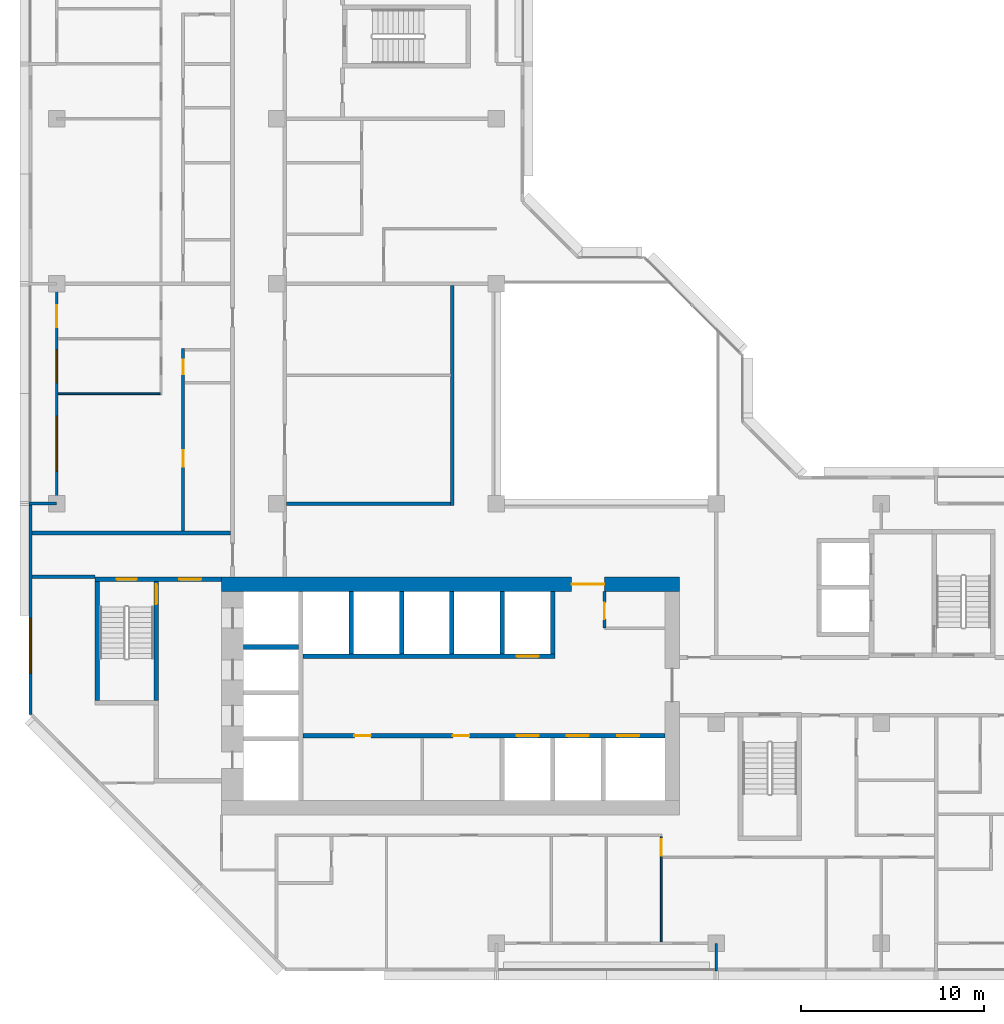
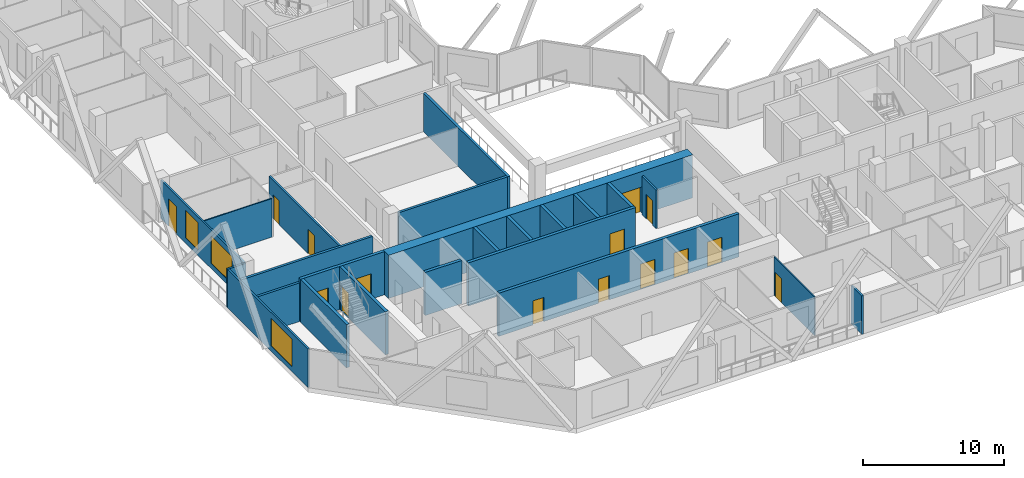
# One storey, part 5 of 15: 24 walls, 15 doors, 3 windows, 18 openings.
"""IFC4 building model written with IfcOpenShell, lengths in metres."""

from ifc_helpers import new_model, si_unit, direction, frame, frame_2d, origin, place, context, subcontext, project, spatial, rectangle, extrude, material, layer, layer_set, type_object, element, fill, save


model = new_model("IFC4")

# Units and contexts
model_context = context("Model", 3, precision=1e-05, world=origin(), true_north=direction((0.0, 1.0)))
body_context = subcontext(model_context, "Body", "Model", "MODEL_VIEW")
ifc_project = project(units=[si_unit("LENGTHUNIT", "METRE"), si_unit("AREAUNIT", "SQUARE_METRE"), si_unit("VOLUMEUNIT", "CUBIC_METRE"), si_unit("PLANEANGLEUNIT", "RADIAN"), si_unit("MASSUNIT", "GRAM", prefix="KILO")], contexts=[model_context])

# Site, building, storey
site_placement = place(None, origin())
site = spatial("IfcSite", under=ifc_project, at=site_placement, CompositionType="ELEMENT")
building_placement = place(site_placement, origin())
building = spatial("IfcBuilding", under=site, at=building_placement, Name="Chenar Terraces", CompositionType="ELEMENT")
storey_placement = place(building_placement, frame((0.0, 0.0, 187.39990234375)))
storey = spatial("IfcBuildingStorey", under=building, at=storey_placement, Name="L43", CompositionType="ELEMENT", Elevation=187.39990234375)

# Wall, opening, door
ifc_material_1 = material(Name="Gypsum board on steel studs", Category="steel")
ifc_layer_1 = layer(ifc_material_1, 0.14990234375)
ifc_layer_set_1 = layer_set([ifc_layer_1], Name="Gypsum board on steel studs")
wall_type_1 = type_object("IfcWallType", Name="Core partition 150 gypsum board", PredefinedType="PARTITIONING", material=ifc_layer_set_1)
wall_1_placement = place(storey_placement, frame((29.89990234375, 17.199951171875, 0.0), z_axis=(0.0, 0.0, 1.0), x_axis=(0.0, 1.0, 0.0)))
wall_1 = element("IfcWall", 1, at=wall_1_placement, inside=storey, type_object=wall_type_1, Name="Core partition CP1 vestibule room west wall", PredefinedType="PARTITIONING", context=body_context, shape_type="SweptSolid", body=[
    extrude(rectangle(XDim=2.0, YDim=0.14990234375, at=frame_2d((1.0, 0.0))), origin(), (0.0, 0.0, 1.0), 3.35009765625),
])
opening_1_placement = place(wall_1_placement, frame((0.5, 0.0, 0.0)))
opening_1 = element("IfcOpeningElement", 2, at=opening_1_placement, cuts=wall_1, Name="Opening DL43-C14", PredefinedType="OPENING", context=body_context, shape_type="SweptSolid", body=[
    extrude(rectangle(XDim=0.89990234375, YDim=2.10009765625, at=frame_2d((0.449951171875, 1.050048828125))), frame((0.0, 0.0849609375, 0.0), z_axis=(0.0, -1.0, 0.0), x_axis=(1.0, 0.0, 0.0)), (0.0, 0.0, 1.0), 0.169921875),
])
ifc_material_2 = material(Name="Steel-framed fire-resisting door leaf", Category="steel")
door_type_1 = type_object("IfcDoorType", Name="Riser fire door FD60 900 x 2100", OperationType="SINGLE_SWING_LEFT", PredefinedType="DOOR", material=ifc_material_2)
door_1_placement = place(opening_1_placement, frame((0.89990234375, 0.0, 0.0), z_axis=(0.0, 0.0, 1.0), x_axis=(-1.0, 0.0, 0.0)))
door_1 = element("IfcDoor", 3, at=door_1_placement, inside=storey, type_object=door_type_1, Name="Core room door DL43-C14", OperationType="SINGLE_SWING_RIGHT", OverallHeight=2.10009765625, OverallWidth=0.89990234375, PredefinedType="DOOR", context=body_context, shape_type="SweptSolid", body=[
    extrude(rectangle(XDim=0.89990234375, YDim=2.10009765625, at=frame_2d((0.449951171875, 1.050048828125))), frame((0.0, 0.02490234375, 0.0), z_axis=(0.0, -1.0, 0.0), x_axis=(1.0, 0.0, 0.0)), (0.0, 0.0, 1.0), 0.050048828125),
])
fill(opening_1, door_1)

# Wall, openings, doors
ifc_material_3 = material(Name="Concrete C60/75", Category="concrete")
ifc_layer_2 = layer(ifc_material_3, 0.25)
ifc_layer_set_2 = layer_set([ifc_layer_2], Name="Concrete C60/75")
wall_type_2 = type_object("IfcWallType", Name="Core wall 250 Concrete C60/75", PredefinedType="SHEAR", material=ifc_layer_set_2)
wall_2_placement = place(storey_placement, frame((13.449951171875, 11.324951171875, 0.0), z_axis=(0.0, 0.0, 1.0), x_axis=(1.0, 0.0, 0.0)))
wall_2 = element("IfcWall", 4, at=wall_2_placement, inside=storey, type_object=wall_type_2, Name="Core wall SF L43", PredefinedType="SHEAR", context=body_context, shape_type="SweptSolid", body=[
    extrude(rectangle(XDim=19.75, YDim=0.25, at=frame_2d((9.875, 0.0))), origin(), (0.0, 0.0, 1.0), 3.75),
])
opening_2_placement = place(wall_2_placement, frame((11.64990234375, 0.0, 0.0)))
opening_2 = element("IfcOpeningElement", 5, at=opening_2_placement, cuts=wall_2, Name="Opening DL43-LD1", PredefinedType="OPENING", context=body_context, shape_type="SweptSolid", body=[
    extrude(rectangle(XDim=1.199951171875, YDim=2.199951171875, at=frame_2d((0.60009765625, 1.10009765625))), frame((0.0, 0.135009765625, 0.0), z_axis=(0.0, -1.0, 0.0), x_axis=(1.0, 0.0, 0.0)), (0.0, 0.0, 1.0), 0.27001953125),
])
opening_3_placement = place(wall_2_placement, frame((14.39990234375, 0.0, 0.0)))
opening_3 = element("IfcOpeningElement", 6, at=opening_3_placement, cuts=wall_2, Name="Opening DL43-LD2", PredefinedType="OPENING", context=body_context, shape_type="SweptSolid", body=[
    extrude(rectangle(XDim=1.199951171875, YDim=2.199951171875, at=frame_2d((0.60009765625, 1.10009765625))), frame((0.0, 0.135009765625, 0.0), z_axis=(0.0, -1.0, 0.0), x_axis=(1.0, 0.0, 0.0)), (0.0, 0.0, 1.0), 0.27001953125),
])
opening_4_placement = place(wall_2_placement, frame((17.14990234375, 0.0, 0.0)))
opening_4 = element("IfcOpeningElement", 7, at=opening_4_placement, cuts=wall_2, Name="Opening DL43-LD3", PredefinedType="OPENING", context=body_context, shape_type="SweptSolid", body=[
    extrude(rectangle(XDim=1.199951171875, YDim=2.199951171875, at=frame_2d((0.60009765625, 1.10009765625))), frame((0.0, 0.135009765625, 0.0), z_axis=(0.0, -1.0, 0.0), x_axis=(1.0, 0.0, 0.0)), (0.0, 0.0, 1.0), 0.27001953125),
])
opening_5_placement = place(wall_2_placement, frame((2.800048828125, 0.0, 0.0)))
opening_5 = element("IfcOpeningElement", 8, at=opening_5_placement, cuts=wall_2, Name="Opening DL43-C12", PredefinedType="OPENING", context=body_context, shape_type="SweptSolid", body=[
    extrude(rectangle(XDim=0.89990234375, YDim=2.10009765625, at=frame_2d((0.449951171875, 1.050048828125))), frame((0.0, 0.135009765625, 0.0), z_axis=(0.0, -1.0, 0.0), x_axis=(1.0, 0.0, 0.0)), (0.0, 0.0, 1.0), 0.27001953125),
])
opening_6_placement = place(wall_2_placement, frame((8.175048828125, 0.0, 0.0)))
opening_6 = element("IfcOpeningElement", 9, at=opening_6_placement, cuts=wall_2, Name="Opening DL43-C13", PredefinedType="OPENING", context=body_context, shape_type="SweptSolid", body=[
    extrude(rectangle(XDim=0.89990234375, YDim=2.10009765625, at=frame_2d((0.449951171875, 1.050048828125))), frame((0.0, 0.135009765625, 0.0), z_axis=(0.0, -1.0, 0.0), x_axis=(1.0, 0.0, 0.0)), (0.0, 0.0, 1.0), 0.27001953125),
])
ifc_material_4 = material(Name="Stainless steel", Category="steel")
door_type_2 = type_object("IfcDoorType", Name="Lift landing door 1200 x 2200 sliding", OperationType="DOUBLE_DOOR_SLIDING", PredefinedType="DOOR", material=ifc_material_4)
door_2_placement = place(opening_2_placement, origin())
door_2 = element("IfcDoor", 10, at=door_2_placement, inside=storey, type_object=door_type_2, Name="Landing door M1", OperationType="DOUBLE_DOOR_SLIDING", OverallHeight=2.199951171875, OverallWidth=1.199951171875, PredefinedType="DOOR", context=body_context, shape_type="SweptSolid", body=[
    extrude(rectangle(XDim=1.199951171875, YDim=2.199951171875, at=frame_2d((0.60009765625, 1.10009765625))), frame((0.0, 0.02490234375, 0.0), z_axis=(0.0, -1.0, 0.0), x_axis=(1.0, 0.0, 0.0)), (0.0, 0.0, 1.0), 0.050048828125),
])
fill(opening_2, door_2)
door_3_placement = place(opening_3_placement, origin())
door_3 = element("IfcDoor", 11, at=door_3_placement, inside=storey, type_object=door_type_2, Name="Landing door M2", OperationType="DOUBLE_DOOR_SLIDING", OverallHeight=2.199951171875, OverallWidth=1.199951171875, PredefinedType="DOOR", context=body_context, shape_type="SweptSolid", body=[
    extrude(rectangle(XDim=1.199951171875, YDim=2.199951171875, at=frame_2d((0.60009765625, 1.10009765625))), frame((0.0, 0.02490234375, 0.0), z_axis=(0.0, -1.0, 0.0), x_axis=(1.0, 0.0, 0.0)), (0.0, 0.0, 1.0), 0.050048828125),
])
fill(opening_3, door_3)
door_4_placement = place(opening_4_placement, origin())
door_4 = element("IfcDoor", 12, at=door_4_placement, inside=storey, type_object=door_type_2, Name="Landing door M3", OperationType="DOUBLE_DOOR_SLIDING", OverallHeight=2.199951171875, OverallWidth=1.199951171875, PredefinedType="DOOR", context=body_context, shape_type="SweptSolid", body=[
    extrude(rectangle(XDim=1.199951171875, YDim=2.199951171875, at=frame_2d((0.60009765625, 1.10009765625))), frame((0.0, 0.02490234375, 0.0), z_axis=(0.0, -1.0, 0.0), x_axis=(1.0, 0.0, 0.0)), (0.0, 0.0, 1.0), 0.050048828125),
])
fill(opening_4, door_4)
door_5_placement = place(opening_5_placement, frame((0.89990234375, 0.0, 0.0), z_axis=(0.0, 0.0, 1.0), x_axis=(-1.0, 0.0, 0.0)))
door_5 = element("IfcDoor", 13, at=door_5_placement, inside=storey, type_object=door_type_1, Name="Core room door DL43-C12", OperationType="SINGLE_SWING_LEFT", OverallHeight=2.10009765625, OverallWidth=0.89990234375, PredefinedType="DOOR", context=body_context, shape_type="SweptSolid", body=[
    extrude(rectangle(XDim=0.89990234375, YDim=2.10009765625, at=frame_2d((0.449951171875, 1.050048828125))), frame((0.0, 0.02490234375, 0.0), z_axis=(0.0, -1.0, 0.0), x_axis=(1.0, 0.0, 0.0)), (0.0, 0.0, 1.0), 0.050048828125),
])
fill(opening_5, door_5)
door_6_placement = place(opening_6_placement, frame((0.89990234375, 0.0, 0.0), z_axis=(0.0, 0.0, 1.0), x_axis=(-1.0, 0.0, 0.0)))
door_6 = element("IfcDoor", 14, at=door_6_placement, inside=storey, type_object=door_type_1, Name="Core room door DL43-C13", OperationType="SINGLE_SWING_LEFT", OverallHeight=2.10009765625, OverallWidth=0.89990234375, PredefinedType="DOOR", context=body_context, shape_type="SweptSolid", body=[
    extrude(rectangle(XDim=0.89990234375, YDim=2.10009765625, at=frame_2d((0.449951171875, 1.050048828125))), frame((0.0, 0.02490234375, 0.0), z_axis=(0.0, -1.0, 0.0), x_axis=(1.0, 0.0, 0.0)), (0.0, 0.0, 1.0), 0.050048828125),
])
fill(opening_6, door_6)

# Wall, opening, door
wall_3_placement = place(storey_placement, frame((13.449951171875, 15.675048828125, 0.0), z_axis=(0.0, 0.0, 1.0), x_axis=(1.0, 0.0, 0.0)))
wall_3 = element("IfcWall", 15, at=wall_3_placement, inside=storey, type_object=wall_type_2, Name="Core wall NF L43", PredefinedType="SHEAR", context=body_context, shape_type="SweptSolid", body=[
    extrude(rectangle(XDim=13.75, YDim=0.25, at=frame_2d((6.875, 0.0))), origin(), (0.0, 0.0, 1.0), 3.75),
])
opening_7_placement = place(wall_3_placement, frame((11.64990234375, 0.0, 0.0)))
opening_7 = element("IfcOpeningElement", 16, at=opening_7_placement, cuts=wall_3, Name="Opening DL43-LD4", PredefinedType="OPENING", context=body_context, shape_type="SweptSolid", body=[
    extrude(rectangle(XDim=1.199951171875, YDim=2.199951171875, at=frame_2d((0.60009765625, 1.10009765625))), frame((0.0, 0.135009765625, 0.0), z_axis=(0.0, -1.0, 0.0), x_axis=(1.0, 0.0, 0.0)), (0.0, 0.0, 1.0), 0.27001953125),
])
door_7_placement = place(opening_7_placement, origin())
door_7 = element("IfcDoor", 17, at=door_7_placement, inside=storey, type_object=door_type_2, Name="Landing door M4", OperationType="DOUBLE_DOOR_SLIDING", OverallHeight=2.199951171875, OverallWidth=1.199951171875, PredefinedType="DOOR", context=body_context, shape_type="SweptSolid", body=[
    extrude(rectangle(XDim=1.199951171875, YDim=2.199951171875, at=frame_2d((0.60009765625, 1.10009765625))), frame((0.0, 0.02490234375, 0.0), z_axis=(0.0, -1.0, 0.0), x_axis=(1.0, 0.0, 0.0)), (0.0, 0.0, 1.0), 0.050048828125),
])
fill(opening_7, door_7)

# Walls
wall_4_placement = place(storey_placement, frame((10.199951171875, 16.175048828125, 0.0), z_axis=(0.0, 0.0, 1.0), x_axis=(1.0, 0.0, 0.0)))
element("IfcWall", 18, at=wall_4_placement, inside=storey, type_object=wall_type_2, Name="Core wall HW2 L43", PredefinedType="SHEAR", context=body_context, shape_type="SweptSolid", body=[
    extrude(rectangle(XDim=3.0, YDim=0.25, at=frame_2d((1.5, 0.0))), origin(), (0.0, 0.0, 1.0), 3.75),
])
for number, where, z_axis, x_axis, name in (
    (19, (16.074951171875, 15.800048828125, 0.0), (0.0, 0.0, 1.0), (0.0, 1.0, 0.0), "Core wall NS0 L43"),
    (20, (18.824951171875, 15.800048828125, 0.0), (0.0, 0.0, 1.0), (0.0, 1.0, 0.0), "Core wall NS1 L43"),
    (21, (21.574951171875, 15.800048828125, 0.0), (0.0, 0.0, 1.0), (0.0, 1.0, 0.0), "Core wall NS2 L43"),
    (22, (24.324951171875, 15.800048828125, 0.0), (0.0, 0.0, 1.0), (0.0, 1.0, 0.0), "Core wall NS3 L43"),
    (23, (27.074951171875, 15.800048828125, 0.0), (0.0, 0.0, 1.0), (0.0, 1.0, 0.0), "Core wall NE L43"),
):
    element("IfcWall", number, at=place(storey_placement, frame(where, z_axis=z_axis, x_axis=x_axis)), inside=storey, type_object=wall_type_2, Name=name, PredefinedType="SHEAR", context=body_context, shape_type="SweptSolid", body=[
        extrude(rectangle(XDim=3.39990234375, YDim=0.25, at=frame_2d((1.699951171875, 0.0))), origin(), (0.0, 0.0, 1.0), 3.75),
    ])

# Wall, openings, doors
wall_5_placement = place(storey_placement, frame((2.10009765625, 19.875, 0.0), z_axis=(0.0, 0.0, 1.0), x_axis=(1.0, 0.0, 0.0)))
wall_5 = element("IfcWall", 24, at=wall_5_placement, inside=storey, type_object=wall_type_2, Name="Core wall A_N L43", PredefinedType="SHEAR", context=body_context, shape_type="SweptSolid", body=[
    extrude(rectangle(XDim=6.89990234375, YDim=0.25, at=frame_2d((3.449951171875, 0.0))), origin(), (0.0, 0.0, 1.0), 3.75),
])
opening_8_placement = place(wall_5_placement, frame((1.175048828125, 0.0, 0.0)))
opening_8 = element("IfcOpeningElement", 25, at=opening_8_placement, cuts=wall_5, Name="Opening DL43-C5", PredefinedType="OPENING", context=body_context, shape_type="SweptSolid", body=[
    extrude(rectangle(XDim=1.10009765625, YDim=2.199951171875, at=frame_2d((0.550048828125, 1.10009765625))), frame((0.0, 0.135009765625, 0.0), z_axis=(0.0, -1.0, 0.0), x_axis=(1.0, 0.0, 0.0)), (0.0, 0.0, 1.0), 0.27001953125),
])
opening_9_placement = place(wall_5_placement, frame((4.60009765625, 0.0, 0.0)))
opening_9 = element("IfcOpeningElement", 26, at=opening_9_placement, cuts=wall_5, Name="Opening DL43-C6", PredefinedType="OPENING", context=body_context, shape_type="SweptSolid", body=[
    extrude(rectangle(XDim=1.199951171875, YDim=2.199951171875, at=frame_2d((0.60009765625, 1.10009765625))), frame((0.0, 0.135009765625, 0.0), z_axis=(0.0, -1.0, 0.0), x_axis=(1.0, 0.0, 0.0)), (0.0, 0.0, 1.0), 0.27001953125),
])
ifc_material_5 = material(Name="Steel-framed fire-resisting door leaf", Category="steel")
door_type_3 = type_object("IfcDoorType", Name="Lobby fire door FD60 1200 x 2200", OperationType="SINGLE_SWING_LEFT", PredefinedType="DOOR", material=ifc_material_5)
door_8_placement = place(opening_9_placement, frame((1.199951171875, 0.0, 0.0), z_axis=(0.0, 0.0, 1.0), x_axis=(-1.0, 0.0, 0.0)))
door_8 = element("IfcDoor", 27, at=door_8_placement, inside=storey, type_object=door_type_3, Name="Core door DL43-C6", OperationType="SINGLE_SWING_LEFT", OverallHeight=2.199951171875, OverallWidth=1.199951171875, PredefinedType="DOOR", context=body_context, shape_type="SweptSolid", body=[
    extrude(rectangle(XDim=1.199951171875, YDim=2.199951171875, at=frame_2d((0.60009765625, 1.10009765625))), frame((0.0, 0.02490234375, 0.0), z_axis=(0.0, -1.0, 0.0), x_axis=(1.0, 0.0, 0.0)), (0.0, 0.0, 1.0), 0.050048828125),
])
fill(opening_9, door_8)
ifc_material_6 = material(Name="Steel-framed fire-resisting door leaf", Category="steel")
door_type_4 = type_object("IfcDoorType", Name="Stair fire door FD60 1100 x 2200", OperationType="SINGLE_SWING_LEFT", PredefinedType="DOOR", material=ifc_material_6)
door_9_placement = place(opening_8_placement, origin())
door_9 = element("IfcDoor", 28, at=door_9_placement, inside=storey, type_object=door_type_4, Name="Stair door DL43-C5", OperationType="SINGLE_SWING_LEFT", OverallHeight=2.199951171875, OverallWidth=1.10009765625, PredefinedType="DOOR", context=body_context, shape_type="SweptSolid", body=[
    extrude(rectangle(XDim=1.10009765625, YDim=2.199951171875, at=frame_2d((0.550048828125, 1.10009765625))), frame((0.0, 0.02490234375, 0.0), z_axis=(0.0, -1.0, 0.0), x_axis=(1.0, 0.0, 0.0)), (0.0, 0.0, 1.0), 0.050048828125),
])
fill(opening_8, door_9)

# Wall
wall_6_placement = place(storey_placement, frame((2.22509765625, 13.25, 0.0), z_axis=(0.0, 0.0, 1.0), x_axis=(0.0, 1.0, 0.0)))
element("IfcWall", 29, at=wall_6_placement, inside=storey, type_object=wall_type_2, Name="Core wall ST1_W L43", PredefinedType="SHEAR", context=body_context, shape_type="SweptSolid", body=[
    extrude(rectangle(XDim=6.5, YDim=0.25, at=frame_2d((3.25, 0.0))), origin(), (0.0, 0.0, 1.0), 3.75),
])

# Wall, opening, door
wall_7_placement = place(storey_placement, frame((5.425048828125, 13.25, 0.0), z_axis=(0.0, 0.0, 1.0), x_axis=(0.0, 1.0, 0.0)))
wall_7 = element("IfcWall", 30, at=wall_7_placement, inside=storey, type_object=wall_type_2, Name="Core wall ST1_E L43", PredefinedType="SHEAR", context=body_context, shape_type="SweptSolid", body=[
    extrude(rectangle(XDim=6.5, YDim=0.25, at=frame_2d((3.25, 0.0))), origin(), (0.0, 0.0, 1.0), 3.75),
])
opening_10_placement = place(wall_7_placement, frame((5.25, 0.0, 0.0)))
opening_10 = element("IfcOpeningElement", 31, at=opening_10_placement, cuts=wall_7, Name="Opening DL43-C3", PredefinedType="OPENING", context=body_context, shape_type="SweptSolid", body=[
    extrude(rectangle(XDim=1.10009765625, YDim=2.199951171875, at=frame_2d((0.550048828125, 1.10009765625))), frame((0.0, 0.135009765625, 0.0), z_axis=(0.0, -1.0, 0.0), x_axis=(1.0, 0.0, 0.0)), (0.0, 0.0, 1.0), 0.27001953125),
])
door_10_placement = place(opening_10_placement, origin())
door_10 = element("IfcDoor", 32, at=door_10_placement, inside=storey, type_object=door_type_4, Name="Stair door DL43-C3", OperationType="SINGLE_SWING_RIGHT", OverallHeight=2.199951171875, OverallWidth=1.10009765625, PredefinedType="DOOR", context=body_context, shape_type="SweptSolid", body=[
    extrude(rectangle(XDim=1.10009765625, YDim=2.199951171875, at=frame_2d((0.550048828125, 1.10009765625))), frame((0.0, 0.02490234375, 0.0), z_axis=(0.0, -1.0, 0.0), x_axis=(1.0, 0.0, 0.0)), (0.0, 0.0, 1.0), 0.050048828125),
])
fill(opening_10, door_10)

ifc_material_7 = material(Name="Concrete C60/75", Category="concrete")
ifc_layer_3 = layer(ifc_material_7, 0.800048828125)
ifc_layer_set_3 = layer_set([ifc_layer_3], Name="Concrete C60/75")
wall_type_3 = type_object("IfcWallType", Name="Core wall 800 Concrete C60/75", PredefinedType="SHEAR", material=ifc_layer_set_3)
wall_8_placement = place(storey_placement, frame((9.0, 19.60009765625, 0.0), z_axis=(0.0, 0.0, 1.0), x_axis=(1.0, 0.0, 0.0)))
wall_8 = element("IfcWall", 33, at=wall_8_placement, inside=storey, type_object=wall_type_3, Name="Core wall N L43", PredefinedType="SHEAR", context=body_context, shape_type="SweptSolid", body=[
    extrude(rectangle(XDim=25.0, YDim=0.800048828125, at=frame_2d((12.5, 0.0))), origin(), (0.0, 0.0, 1.0), 3.75),
])
opening_11_placement = place(wall_8_placement, frame((19.10009765625, 0.0, 0.0)))
opening_11 = element("IfcOpeningElement", 34, at=opening_11_placement, cuts=wall_8, Name="Opening DL43-C2", PredefinedType="OPENING", context=body_context, shape_type="SweptSolid", body=[
    extrude(rectangle(XDim=1.800048828125, YDim=2.39990234375, at=frame_2d((0.89990234375, 1.199951171875))), frame((0.0, 0.409912109375, 0.0), z_axis=(0.0, -1.0, 0.0), x_axis=(1.0, 0.0, 0.0)), (0.0, 0.0, 1.0), 0.820068359375),
])
ifc_material_8 = material(Name="Steel-framed fire-resisting door leaf", Category="steel")
door_type_5 = type_object("IfcDoorType", Name="Core entrance double fire door FD60 1800 x 2400", OperationType="DOUBLE_DOOR_SINGLE_SWING", PredefinedType="DOOR", material=ifc_material_8)
door_11_placement = place(opening_11_placement, origin())
door_11 = element("IfcDoor", 35, at=door_11_placement, inside=storey, type_object=door_type_5, Name="Core door DL43-C2", OperationType="DOUBLE_DOOR_SINGLE_SWING", OverallHeight=2.39990234375, OverallWidth=1.800048828125, PredefinedType="DOOR", context=body_context, shape_type="SweptSolid", body=[
    extrude(rectangle(XDim=1.800048828125, YDim=2.39990234375, at=frame_2d((0.89990234375, 1.199951171875))), frame((0.0, 0.02490234375, 0.0), z_axis=(0.0, -1.0, 0.0), x_axis=(1.0, 0.0, 0.0)), (0.0, 0.0, 1.0), 0.050048828125),
])
fill(opening_11, door_11)

# Walls
ifc_material_9 = material(Name="Gypsum board on steel studs with fire boards", Category="steel")
ifc_layer_4 = layer(ifc_material_9, 0.199951171875)
ifc_layer_set_4 = layer_set([ifc_layer_4], Name="Gypsum board on steel studs with fire boards")
wall_type_4 = type_object("IfcWallType", Name="Corridor wall 200", PredefinedType="PARTITIONING", material=ifc_layer_set_4)
wall_9_placement = place(storey_placement, frame((-1.35009765625, 20.0, 0.0), z_axis=(0.0, 0.0, 1.0), x_axis=(1.0, 0.0, 0.0)))
element("IfcWall", 36, at=wall_9_placement, inside=storey, type_object=wall_type_4, Name="Partition L43-001", PredefinedType="PARTITIONING", context=body_context, shape_type="SweptSolid", body=[
    extrude(rectangle(XDim=3.4501953125, YDim=0.199951171875, at=frame_2d((1.72509765625, 0.0))), origin(), (0.0, 0.0, 1.0), 3.35009765625),
])
wall_10_placement = place(storey_placement, frame((-1.35009765625, 22.39990234375, 0.0), z_axis=(0.0, 0.0, 1.0), x_axis=(1.0, 0.0, 0.0)))
element("IfcWall", 37, at=wall_10_placement, inside=storey, type_object=wall_type_4, Name="Partition L43-002", PredefinedType="PARTITIONING", context=body_context, shape_type="SweptSolid", body=[
    extrude(rectangle(XDim=10.85009765625, YDim=0.199951171875, at=frame_2d((5.425048828125, 0.0))), origin(), (0.0, 0.0, 1.0), 3.35009765625),
])
wall_11_placement = place(storey_placement, frame((12.550048828125, 24.0, 0.0), z_axis=(0.0, 0.0, 1.0), x_axis=(1.0, 0.0, 0.0)))
element("IfcWall", 38, at=wall_11_placement, inside=storey, type_object=wall_type_4, Name="Partition L43-034", PredefinedType="PARTITIONING", context=body_context, shape_type="SweptSolid", body=[
    extrude(rectangle(XDim=8.949951171875, YDim=0.199951171875, at=frame_2d((4.47509765625, 0.0))), origin(), (0.0, 0.0, 1.0), 3.35009765625),
])
wall_12_placement = place(storey_placement, frame((21.60009765625, 23.89990234375, 0.0), z_axis=(0.0, 0.0, 1.0), x_axis=(0.0, 1.0, 0.0)))
element("IfcWall", 39, at=wall_12_placement, inside=storey, type_object=wall_type_4, Name="Partition L43-054", PredefinedType="PARTITIONING", context=body_context, shape_type="SweptSolid", body=[
    extrude(rectangle(XDim=12.0, YDim=0.199951171875, at=frame_2d((6.0, 0.0))), origin(), (0.0, 0.0, 1.0), 3.35009765625),
])

# Wall, opening, window
ifc_material_10 = material(Name="Aluminium framed glazing", Category="aluminium")
ifc_layer_5 = layer(ifc_material_10, 0.14990234375)
ifc_layer_set_5 = layer_set([ifc_layer_5], Name="Aluminium framed glazing")
wall_type_5 = type_object("IfcWallType", Name="Glazed flush facade wall 150", PredefinedType="SOLIDWALL", material=ifc_layer_set_5)
wall_13_placement = place(storey_placement, frame((-1.425048828125, 23.925048828125, 0.0), z_axis=(0.0, 0.0, 1.0), x_axis=(0.0, -1.0, 0.0)))
wall_13 = element("IfcWall", 40, at=wall_13_placement, inside=storey, type_object=wall_type_5, Name="Glazed flush facade wall", PredefinedType="SOLIDWALL", context=body_context, shape_type="SweptSolid", body=[
    extrude(rectangle(XDim=11.425048828125, YDim=0.14990234375, at=frame_2d((5.71240234375, 0.0))), origin(), (0.0, 0.0, 1.0), 3.35009765625),
])
opening_12_placement = place(wall_13_placement, frame((6.175048828125, 0.0, 0.449951171875)))
opening_12 = element("IfcOpeningElement", 41, at=opening_12_placement, cuts=wall_13, Name="Opening W300x240", PredefinedType="OPENING", context=body_context, shape_type="SweptSolid", body=[
    extrude(rectangle(XDim=3.0, YDim=2.39990234375, at=frame_2d((1.5, 1.199951171875))), frame((0.0, 0.0849609375, 0.0), z_axis=(0.0, -1.0, 0.0), x_axis=(1.0, 0.0, 0.0)), (0.0, 0.0, 1.0), 0.169921875),
])
ifc_material_11 = material(Name="Low emissivity double glazing, aluminium frame", Category="aluminium")
window_type_1 = type_object("IfcWindowType", Name="Fixed light 3000 x 2400", PartitioningType="SINGLE_PANEL", PredefinedType="WINDOW", material=ifc_material_11)
window_1_placement = place(opening_12_placement, origin())
window_1 = element("IfcWindow", 42, at=window_1_placement, inside=storey, type_object=window_type_1, Name="Window", OverallHeight=2.39990234375, OverallWidth=3.0, PartitioningType="SINGLE_PANEL", PredefinedType="WINDOW", context=body_context, shape_type="SweptSolid", body=[
    extrude(rectangle(XDim=3.0, YDim=2.39990234375, at=frame_2d((1.5, 1.199951171875))), frame((0.0, 0.030029296875, 0.0), z_axis=(0.0, -1.0, 0.0), x_axis=(1.0, 0.0, 0.0)), (0.0, 0.0, 1.0), 0.06005859375),
])
fill(opening_12, window_1)

# Wall, openings, windows, door
ifc_material_12 = material(Name="Aluminium framed glazing", Category="aluminium")
ifc_layer_6 = layer(ifc_material_12, 0.14990234375)
ifc_layer_set_6 = layer_set([ifc_layer_6], Name="Aluminium framed glazing")
wall_type_6 = type_object("IfcWallType", Name="Glazed loggia back wall 150", PredefinedType="SOLIDWALL", material=ifc_layer_set_6)
wall_14_placement = place(storey_placement, frame((0.0, 35.925048828125, 0.0), z_axis=(0.0, 0.0, 1.0), x_axis=(0.0, -1.0, 0.0)))
wall_14 = element("IfcWall", 43, at=wall_14_placement, inside=storey, type_object=wall_type_6, Name="Glazed loggia back wall", PredefinedType="SOLIDWALL", context=body_context, shape_type="SweptSolid", body=[
    extrude(rectangle(XDim=11.85009765625, YDim=0.14990234375, at=frame_2d((5.925048828125, 0.0))), origin(), (0.0, 0.0, 1.0), 3.35009765625),
])
opening_13_placement = place(wall_14_placement, frame((1.10009765625, 0.0, 0.0)))
opening_13 = element("IfcOpeningElement", 44, at=opening_13_placement, cuts=wall_14, Name="Opening DL43-G5", PredefinedType="OPENING", context=body_context, shape_type="SweptSolid", body=[
    extrude(rectangle(XDim=1.199951171875, YDim=2.39990234375, at=frame_2d((0.60009765625, 1.199951171875))), frame((0.0, 0.0849609375, 0.0), z_axis=(0.0, -1.0, 0.0), x_axis=(1.0, 0.0, 0.0)), (0.0, 0.0, 1.0), 0.169921875),
])
opening_14_placement = place(wall_14_placement, frame((3.52490234375, 0.0, 0.449951171875)))
opening_14 = element("IfcOpeningElement", 45, at=opening_14_placement, cuts=wall_14, Name="Opening W180x240", PredefinedType="OPENING", context=body_context, shape_type="SweptSolid", body=[
    extrude(rectangle(XDim=1.800048828125, YDim=2.39990234375, at=frame_2d((0.89990234375, 1.199951171875))), frame((0.0, 0.0849609375, 0.0), z_axis=(0.0, -1.0, 0.0), x_axis=(1.0, 0.0, 0.0)), (0.0, 0.0, 1.0), 0.169921875),
])
opening_15_placement = place(wall_14_placement, frame((7.14990234375, 0.0, 0.449951171875)))
opening_15 = element("IfcOpeningElement", 46, at=opening_15_placement, cuts=wall_14, Name="Opening W300x240", PredefinedType="OPENING", context=body_context, shape_type="SweptSolid", body=[
    extrude(rectangle(XDim=3.0, YDim=2.39990234375, at=frame_2d((1.5, 1.199951171875))), frame((0.0, 0.0849609375, 0.0), z_axis=(0.0, -1.0, 0.0), x_axis=(1.0, 0.0, 0.0)), (0.0, 0.0, 1.0), 0.169921875),
])
ifc_material_13 = material(Name="Low emissivity double glazing, aluminium frame", Category="aluminium")
window_type_2 = type_object("IfcWindowType", Name="Fixed light 1800 x 2400", PartitioningType="SINGLE_PANEL", PredefinedType="WINDOW", material=ifc_material_13)
window_2_placement = place(opening_14_placement, origin())
window_2 = element("IfcWindow", 47, at=window_2_placement, inside=storey, type_object=window_type_2, Name="Window", OverallHeight=2.39990234375, OverallWidth=1.800048828125, PartitioningType="SINGLE_PANEL", PredefinedType="WINDOW", context=body_context, shape_type="SweptSolid", body=[
    extrude(rectangle(XDim=1.800048828125, YDim=2.39990234375, at=frame_2d((0.89990234375, 1.199951171875))), frame((0.0, 0.030029296875, 0.0), z_axis=(0.0, -1.0, 0.0), x_axis=(1.0, 0.0, 0.0)), (0.0, 0.0, 1.0), 0.06005859375),
])
fill(opening_14, window_2)
window_3_placement = place(opening_15_placement, origin())
window_3 = element("IfcWindow", 48, at=window_3_placement, inside=storey, type_object=window_type_1, Name="Window", OverallHeight=2.39990234375, OverallWidth=3.0, PartitioningType="SINGLE_PANEL", PredefinedType="WINDOW", context=body_context, shape_type="SweptSolid", body=[
    extrude(rectangle(XDim=3.0, YDim=2.39990234375, at=frame_2d((1.5, 1.199951171875))), frame((0.0, 0.030029296875, 0.0), z_axis=(0.0, -1.0, 0.0), x_axis=(1.0, 0.0, 0.0)), (0.0, 0.0, 1.0), 0.06005859375),
])
fill(opening_15, window_3)
ifc_material_14 = material(Name="Low emissivity double glazing, aluminium frame", Category="aluminium")
door_type_6 = type_object("IfcDoorType", Name="Loggia glazed double door 1200 x 2400", OperationType="DOUBLE_DOOR_SINGLE_SWING", PredefinedType="DOOR", material=ifc_material_14)
door_12_placement = place(opening_13_placement, frame((1.199951171875, 0.0, 0.0), z_axis=(0.0, 0.0, 1.0), x_axis=(-1.0, 0.0, 0.0)))
door_12 = element("IfcDoor", 49, at=door_12_placement, inside=storey, type_object=door_type_6, Name="Loggia glazed door", OperationType="DOUBLE_DOOR_SINGLE_SWING", OverallHeight=2.39990234375, OverallWidth=1.199951171875, PredefinedType="DOOR", context=body_context, shape_type="SweptSolid", body=[
    extrude(rectangle(XDim=1.199951171875, YDim=2.39990234375, at=frame_2d((0.60009765625, 1.199951171875))), frame((0.0, 0.02490234375, 0.0), z_axis=(0.0, -1.0, 0.0), x_axis=(1.0, 0.0, 0.0)), (0.0, 0.0, 1.0), 0.050048828125),
])
fill(opening_13, door_12)

# Wall
ifc_material_15 = material(Name="Gypsum board on steel studs", Category="steel")
ifc_layer_7 = layer(ifc_material_15, 0.10009765625)
ifc_layer_set_7 = layer_set([ifc_layer_7], Name="Gypsum board on steel studs")
wall_type_7 = type_object("IfcWallType", Name="Gypsum partition 100", PredefinedType="PARTITIONING", material=ifc_layer_set_7)
wall_15_placement = place(storey_placement, frame((0.073974609375, 30.0, 0.0), z_axis=(0.0, 0.0, 1.0), x_axis=(1.0, 0.0, 0.0)))
element("IfcWall", 50, at=wall_15_placement, inside=storey, type_object=wall_type_7, Name="Partition L43-006", PredefinedType="PARTITIONING", context=body_context, shape_type="SweptSolid", body=[
    extrude(rectangle(XDim=5.575927734375, YDim=0.10009765625, at=frame_2d((2.7880859375, 0.0))), origin(), (0.0, 0.0, 1.0), 3.35009765625),
])

# Wall, opening, door
wall_16_placement = place(storey_placement, frame((33.0, 0.073974609375, 0.0), z_axis=(0.0, 0.0, 1.0), x_axis=(0.0, 1.0, 0.0)))
wall_16 = element("IfcWall", 51, at=wall_16_placement, inside=storey, type_object=wall_type_7, Name="Partition L43-057", PredefinedType="PARTITIONING", context=body_context, shape_type="SweptSolid", body=[
    extrude(rectangle(XDim=5.7509765625, YDim=0.10009765625, at=frame_2d((2.87548828125, 0.0))), origin(), (0.0, 0.0, 1.0), 3.35009765625),
])
opening_16_placement = place(wall_16_placement, frame((4.700927734375, 0.0, 0.0)))
opening_16 = element("IfcOpeningElement", 52, at=opening_16_placement, cuts=wall_16, Name="Opening DL43-46", PredefinedType="OPENING", context=body_context, shape_type="SweptSolid", body=[
    extrude(rectangle(XDim=0.89990234375, YDim=2.10009765625, at=frame_2d((0.449951171875, 1.050048828125))), frame((0.0, 0.06005859375, 0.0), z_axis=(0.0, -1.0, 0.0), x_axis=(1.0, 0.0, 0.0)), (0.0, 0.0, 1.0), 0.1201171875),
])
ifc_material_16 = material(Name="Veneered timber door leaf", Category="wood")
door_type_7 = type_object("IfcDoorType", Name="Door 900 x 2100", OperationType="SINGLE_SWING_LEFT", PredefinedType="DOOR", material=ifc_material_16)
door_13_placement = place(opening_16_placement, origin())
door_13 = element("IfcDoor", 53, at=door_13_placement, inside=storey, type_object=door_type_7, Name="Door DL43-46", OperationType="SINGLE_SWING_RIGHT", OverallHeight=2.10009765625, OverallWidth=0.89990234375, PredefinedType="DOOR", context=body_context, shape_type="SweptSolid", body=[
    extrude(rectangle(XDim=0.89990234375, YDim=2.10009765625, at=frame_2d((0.449951171875, 1.050048828125))), frame((0.0, 0.02490234375, 0.0), z_axis=(0.0, -1.0, 0.0), x_axis=(1.0, 0.0, 0.0)), (0.0, 0.0, 1.0), 0.050048828125),
])
fill(opening_16, door_13)

# Walls
ifc_material_17 = material(Name="Terracotta cladding on insulated backing", Category="masonry")
ifc_layer_8 = layer(ifc_material_17, 0.14990234375)
ifc_layer_set_8 = layer_set([ifc_layer_8], Name="Terracotta cladding on insulated backing")
wall_type_8 = type_object("IfcWallType", Name="Loggia return wall 150", PredefinedType="SOLIDWALL", material=ifc_layer_set_8)
for number, where, z_axis, x_axis, name in (
    (54, (-1.5, 24.0, 0.0), (0.0, 0.0, 1.0), (1.0, 0.0, 0.0), "Loggia return wall"),
    (55, (36.0, -1.5, 0.0), (0.0, 0.0, 1.0), (0.0, 1.0, 0.0), "Loggia return wall"),
):
    element("IfcWall", number, at=place(storey_placement, frame(where, z_axis=z_axis, x_axis=x_axis)), inside=storey, type_object=wall_type_8, Name=name, PredefinedType="SOLIDWALL", context=body_context, shape_type="SweptSolid", body=[
        extrude(rectangle(XDim=1.5, YDim=0.14990234375, at=frame_2d((0.75, 0.0))), origin(), (0.0, 0.0, 1.0), 3.35009765625),
    ])

# Wall, openings, doors
ifc_material_18 = material(Name="Moisture-resistant gypsum board on steel studs", Category="steel")
ifc_layer_9 = layer(ifc_material_18, 0.14990234375)
ifc_layer_set_9 = layer_set([ifc_layer_9], Name="Moisture-resistant gypsum board on steel studs")
wall_type_9 = type_object("IfcWallType", Name="Wet-room partition 150", PredefinedType="PARTITIONING", material=ifc_layer_set_9)
wall_17_placement = place(storey_placement, frame((6.89990234375, 22.5, 0.0), z_axis=(0.0, 0.0, 1.0), x_axis=(0.0, 1.0, 0.0)))
wall_17 = element("IfcWall", 56, at=wall_17_placement, inside=storey, type_object=wall_type_9, Name="Partition L43-015", PredefinedType="PARTITIONING", context=body_context, shape_type="SweptSolid", body=[
    extrude(rectangle(XDim=9.97509765625, YDim=0.14990234375, at=frame_2d((4.987548828125, 0.0))), origin(), (0.0, 0.0, 1.0), 3.35009765625),
])
opening_17_placement = place(wall_17_placement, frame((8.550048828125, 0.0, 0.0)))
opening_17 = element("IfcOpeningElement", 57, at=opening_17_placement, cuts=wall_17, Name="Opening DL43-57", PredefinedType="OPENING", context=body_context, shape_type="SweptSolid", body=[
    extrude(rectangle(XDim=0.800048828125, YDim=2.10009765625, at=frame_2d((0.39990234375, 1.050048828125))), frame((0.0, 0.0849609375, 0.0), z_axis=(0.0, -1.0, 0.0), x_axis=(1.0, 0.0, 0.0)), (0.0, 0.0, 1.0), 0.169921875),
])
opening_18_placement = place(wall_17_placement, frame((3.5, 0.0, 0.0)))
opening_18 = element("IfcOpeningElement", 58, at=opening_18_placement, cuts=wall_17, Name="Opening DL43-60", PredefinedType="OPENING", context=body_context, shape_type="SweptSolid", body=[
    extrude(rectangle(XDim=0.89990234375, YDim=2.10009765625, at=frame_2d((0.449951171875, 1.050048828125))), frame((0.0, 0.0849609375, 0.0), z_axis=(0.0, -1.0, 0.0), x_axis=(1.0, 0.0, 0.0)), (0.0, 0.0, 1.0), 0.169921875),
])
ifc_material_19 = material(Name="Veneered timber door leaf", Category="wood")
door_type_8 = type_object("IfcDoorType", Name="Door 800 x 2100", OperationType="SINGLE_SWING_LEFT", PredefinedType="DOOR", material=ifc_material_19)
door_14_placement = place(opening_17_placement, frame((0.800048828125, 0.0, 0.0), z_axis=(0.0, 0.0, 1.0), x_axis=(-1.0, 0.0, 0.0)))
door_14 = element("IfcDoor", 59, at=door_14_placement, inside=storey, type_object=door_type_8, Name="Door DL43-57", OperationType="SINGLE_SWING_RIGHT", OverallHeight=2.10009765625, OverallWidth=0.800048828125, PredefinedType="DOOR", context=body_context, shape_type="SweptSolid", body=[
    extrude(rectangle(XDim=0.800048828125, YDim=2.10009765625, at=frame_2d((0.39990234375, 1.050048828125))), frame((0.0, 0.02490234375, 0.0), z_axis=(0.0, -1.0, 0.0), x_axis=(1.0, 0.0, 0.0)), (0.0, 0.0, 1.0), 0.050048828125),
])
fill(opening_17, door_14)
door_15_placement = place(opening_18_placement, frame((0.89990234375, 0.0, 0.0), z_axis=(0.0, 0.0, 1.0), x_axis=(-1.0, 0.0, 0.0)))
door_15 = element("IfcDoor", 60, at=door_15_placement, inside=storey, type_object=door_type_7, Name="Door DL43-60", OperationType="SINGLE_SWING_RIGHT", OverallHeight=2.10009765625, OverallWidth=0.89990234375, PredefinedType="DOOR", context=body_context, shape_type="SweptSolid", body=[
    extrude(rectangle(XDim=0.89990234375, YDim=2.10009765625, at=frame_2d((0.449951171875, 1.050048828125))), frame((0.0, 0.02490234375, 0.0), z_axis=(0.0, -1.0, 0.0), x_axis=(1.0, 0.0, 0.0)), (0.0, 0.0, 1.0), 0.050048828125),
])
fill(opening_18, door_15)

save(model, "model.ifc")
